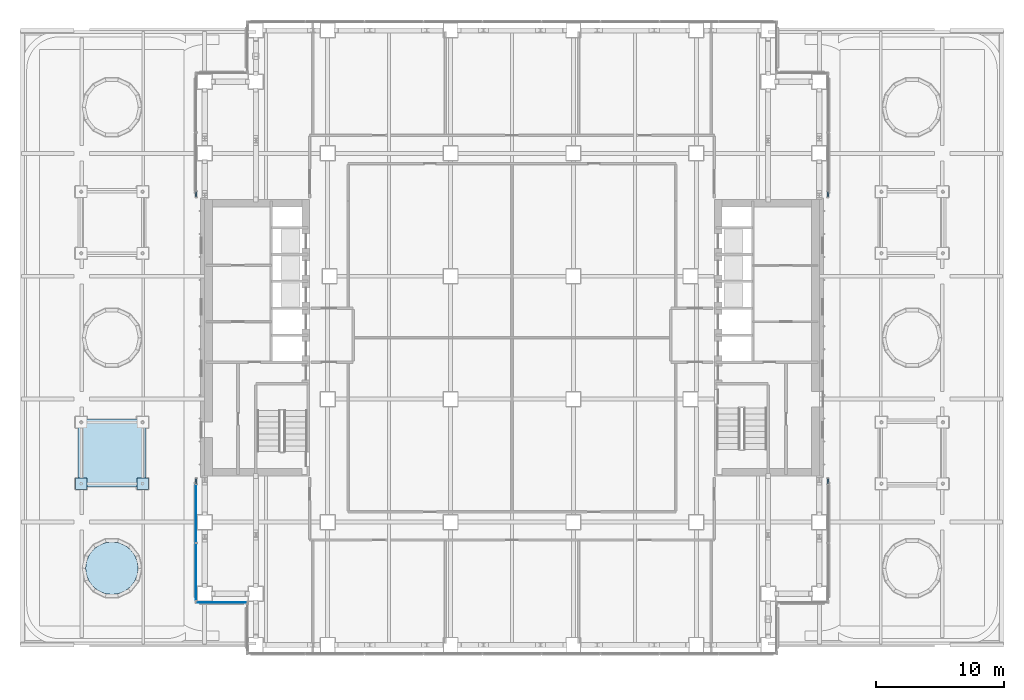
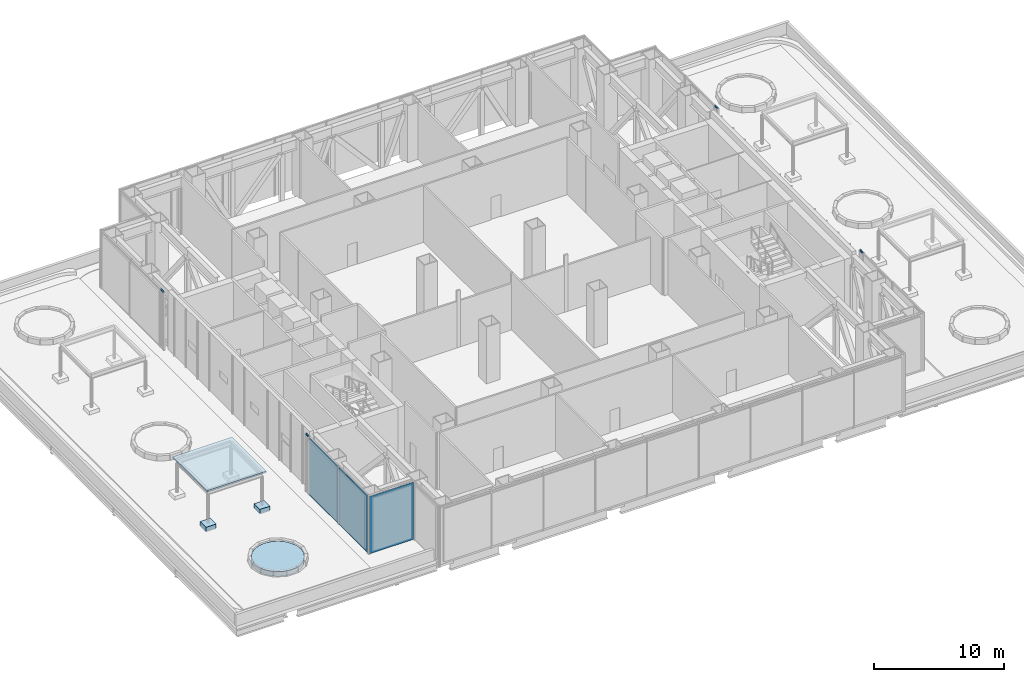
# One storey, part 16 of 39: 4 members, 4 slabs, 3 plates, 5 elements without a shape of their own.
"""IFC4 building model written with IfcOpenShell, lengths in metres."""

from ifc_helpers import new_model, si_unit, direction, frame, origin, origin_2d, place, context, subcontext, project, spatial, polyline, rectangle, outline, extrude, material, layer, layer_set, material_profile, profile_set, type_object, element, aggregate, save


model = new_model("IFC4")

# Units and contexts
model_context = context("Model", 3, precision=1e-05, world=origin(), true_north=direction((0.0, 1.0)))
body_context = subcontext(model_context, "Body", "Model", "MODEL_VIEW")
ifc_project = project(units=[si_unit("LENGTHUNIT", "METRE"), si_unit("AREAUNIT", "SQUARE_METRE"), si_unit("VOLUMEUNIT", "CUBIC_METRE"), si_unit("PLANEANGLEUNIT", "RADIAN"), si_unit("MASSUNIT", "GRAM", prefix="KILO")], contexts=[model_context])

# Site, building, storey
site_placement = place(None, origin())
site = spatial("IfcSite", under=ifc_project, at=site_placement, CompositionType="ELEMENT")
building_placement = place(site_placement, origin())
building = spatial("IfcBuilding", under=site, at=building_placement, Name="Cobrizo Arcos Hotel Tower", CompositionType="ELEMENT")
storey_placement = place(building_placement, frame((0.0, 0.0, 33.5)))
storey = spatial("IfcBuildingStorey", under=building, at=storey_placement, Name="L06", CompositionType="ELEMENT", Elevation=33.5)

# Curtain wall, member
ifc_material_1 = material(Name="Aluminium 6063-T6 anodised bronze", Category="aluminium")
curtain_wall_type = type_object("IfcCurtainWallType", Name="CW-D plant louvre wall", PredefinedType="NOTDEFINED", material=ifc_material_1)
curtain_wall_1_placement = place(storey_placement, origin())
curtain_wall_1 = element("IfcCurtainWall", 1, at=curtain_wall_1_placement, inside=storey, type_object=curtain_wall_type, Name="CW-D L06 E face", PredefinedType="NOTDEFINED")
ifc_material_profile = material_profile(ifc_material_1, rectangle(XDim=0.10009765625, YDim=0.10009765625, at=origin_2d()), Name="CW-D transom 100x100")
ifc_profile_set = profile_set([ifc_material_profile], Name="Aluminium 6063-T6 anodised bronze")
member_type = type_object("IfcMemberType", Name="CW-D transom 100x100", PredefinedType="USERDEFINED", material=ifc_profile_set)
member_1_placement = place(storey_placement, frame((24.675048828125, -11.39453125, 5.449951171875), z_axis=(0.0, 1.0, 0.0), x_axis=(-1.0, 0.0, 0.0)))
member_1 = element("IfcMember", 2, at=member_1_placement, type_object=member_type, Name="CW-D transom 336", ObjectType="TRANSOM", PredefinedType="USERDEFINED", context=body_context, shape_type="SweptSolid", body=[
    extrude(rectangle(XDim=0.10009765625, YDim=0.10009765625, at=origin_2d()), origin(), (0.0, 0.0, 1.0), 0.3701171875),
])
aggregate(curtain_wall_1, [member_1])

curtain_wall_2_placement = place(storey_placement, origin())
curtain_wall_2 = element("IfcCurtainWall", 3, at=curtain_wall_2_placement, inside=storey, type_object=curtain_wall_type, Name="CW-D L06 E face", PredefinedType="NOTDEFINED")
member_2_placement = place(storey_placement, frame((24.675048828125, 11.0244140625, 5.449951171875), z_axis=(0.0, 1.0, 0.0), x_axis=(-1.0, 0.0, 0.0)))
member_2 = element("IfcMember", 4, at=member_2_placement, type_object=member_type, Name="CW-D transom 337", ObjectType="TRANSOM", PredefinedType="USERDEFINED", context=body_context, shape_type="SweptSolid", body=[
    extrude(rectangle(XDim=0.10009765625, YDim=0.10009765625, at=origin_2d()), origin(), (0.0, 0.0, 1.0), 0.3701171875),
])
aggregate(curtain_wall_2, [member_2])

curtain_wall_3_placement = place(storey_placement, origin())
curtain_wall_3 = element("IfcCurtainWall", 5, at=curtain_wall_3_placement, inside=storey, type_object=curtain_wall_type, Name="CW-D L06 W face", PredefinedType="NOTDEFINED")
member_3_placement = place(storey_placement, frame((-24.675048828125, 11.39453125, 5.449951171875), z_axis=(0.0, -1.0, 0.0), x_axis=(1.0, 0.0, 0.0)))
member_3 = element("IfcMember", 6, at=member_3_placement, type_object=member_type, Name="CW-D transom 355", ObjectType="TRANSOM", PredefinedType="USERDEFINED", context=body_context, shape_type="SweptSolid", body=[
    extrude(rectangle(XDim=0.10009765625, YDim=0.10009765625, at=origin_2d()), origin(), (0.0, 0.0, 1.0), 0.3701171875),
])
aggregate(curtain_wall_3, [member_3])

# Curtain wall, member, plates
curtain_wall_4_placement = place(storey_placement, origin())
curtain_wall_4 = element("IfcCurtainWall", 7, at=curtain_wall_4_placement, inside=storey, type_object=curtain_wall_type, Name="CW-D L06 W face", PredefinedType="NOTDEFINED")
member_4_placement = place(storey_placement, frame((-24.675048828125, -11.0244140625, 5.449951171875), z_axis=(0.0, -1.0, 0.0), x_axis=(1.0, 0.0, 0.0)))
member_4 = element("IfcMember", 8, at=member_4_placement, type_object=member_type, Name="CW-D transom 356", ObjectType="TRANSOM", PredefinedType="USERDEFINED", context=body_context, shape_type="SweptSolid", body=[
    extrude(rectangle(XDim=0.10009765625, YDim=0.10009765625, at=origin_2d()), origin(), (0.0, 0.0, 1.0), 0.3701171875),
])
ifc_material_2 = material(Name="Aluminium composite panel pale metal", Category="aluminium")
ifc_layer_1 = layer(ifc_material_2, 0.06005859375)
ifc_layer_set_1 = layer_set([ifc_layer_1], Name="CW-D spandrel panel")
plate_type = type_object("IfcPlateType", Name="CW-D spandrel panel", PredefinedType="CURTAIN_PANEL", material=ifc_layer_set_1)
plate_1_placement = place(storey_placement, frame((-24.675048828125, -13.7333984375, 0.0), z_axis=(0.0, 0.0, 1.0), x_axis=(0.0, -1.0, 0.0)))
plate_1 = element("IfcPlate", 9, at=plate_1_placement, type_object=plate_type, Name="CW-D insulated panel 357", PredefinedType="CURTAIN_PANEL", context=body_context, shape_type="SweptSolid", body=[
    extrude(rectangle(XDim=4.477783203125, YDim=0.0400390625, at=origin_2d()), origin(), (0.0, 0.0, 1.0), 5.39990234375),
])
plate_2_placement = place(storey_placement, frame((-24.675048828125, -18.2861328125, 0.0), z_axis=(0.0, 0.0, 1.0), x_axis=(0.0, -1.0, 0.0)))
plate_2 = element("IfcPlate", 10, at=plate_2_placement, type_object=plate_type, Name="CW-D insulated panel 358", PredefinedType="CURTAIN_PANEL", context=body_context, shape_type="SweptSolid", body=[
    extrude(rectangle(XDim=4.427734375, YDim=0.0400390625, at=origin_2d()), origin(), (0.0, 0.0, 1.0), 5.39990234375),
])
aggregate(curtain_wall_4, [member_4, plate_1, plate_2])

# Curtain wall, plate
curtain_wall_5_placement = place(storey_placement, origin())
curtain_wall_5 = element("IfcCurtainWall", 11, at=curtain_wall_5_placement, inside=storey, type_object=curtain_wall_type, Name="CW-D L06 S face", PredefinedType="NOTDEFINED")
plate_3_placement = place(storey_placement, frame((-22.675048828125, -20.675048828125, 0.0), z_axis=(0.0, 0.0, 1.0), x_axis=(1.0, 0.0, 0.0)))
plate_3 = element("IfcPlate", 12, at=plate_3_placement, type_object=plate_type, Name="CW-D insulated panel 359", PredefinedType="CURTAIN_PANEL", context=body_context, shape_type="SweptSolid", body=[
    extrude(rectangle(XDim=3.949951171875, YDim=0.0400390625, at=origin_2d()), origin(), (0.0, 0.0, 1.0), 5.39990234375),
])
aggregate(curtain_wall_5, [plate_3])

# Slabs
ifc_material_3 = material(Name="Concrete f'c 35 MPa", Category="concrete")
ifc_layer_2 = layer(ifc_material_3, 0.449951171875)
ifc_layer_set_2 = layer_set([ifc_layer_2], Name="Pavilion column plinth 900 x 900 x 450")
slab_type_1 = type_object("IfcSlabType", Name="Pavilion column plinth 900 x 900 x 450", PredefinedType="BASESLAB", material=ifc_layer_set_2)
slab_1_placement = place(storey_placement, origin())
element("IfcSlab", 13, at=slab_1_placement, inside=storey, type_object=slab_type_1, Name="Pavilion 1 column plinth 1", PredefinedType="BASESLAB", context=body_context, shape_type="SweptSolid", body=[
    extrude(outline(polyline([(-33.199951171875, -11.85009765625), (-33.199951171875, -10.949951171875), (-34.10009765625, -10.949951171875), (-34.10009765625, -11.85009765625), (-33.199951171875, -11.85009765625)])), origin(), (0.0, 0.0, 1.0), 0.449951171875),
])
slab_2_placement = place(storey_placement, origin())
element("IfcSlab", 14, at=slab_2_placement, inside=storey, type_object=slab_type_1, Name="Pavilion 1 column plinth 2", PredefinedType="BASESLAB", context=body_context, shape_type="SweptSolid", body=[
    extrude(outline(polyline([(-28.39990234375, -11.85009765625), (-28.39990234375, -10.949951171875), (-29.300048828125, -10.949951171875), (-29.300048828125, -11.85009765625), (-28.39990234375, -11.85009765625)])), origin(), (0.0, 0.0, 1.0), 0.449951171875),
])
ifc_material_4 = material(Name="Reinforced concrete C40/50", Category="concrete")
ifc_layer_3 = layer(ifc_material_4, 0.14990234375)
ifc_layer_set_3 = layer_set([ifc_layer_3], Name="Pavilion roof slab 150")
slab_type_2 = type_object("IfcSlabType", Name="Pavilion roof slab 150", PredefinedType="ROOF", material=ifc_layer_set_3)
slab_3_placement = place(storey_placement, frame((0.0, 0.0, 3.556396484375)))
element("IfcSlab", 15, at=slab_3_placement, inside=storey, type_object=slab_type_2, Name="Pavilion 1 roof", PredefinedType="ROOF", context=body_context, shape_type="SweptSolid", body=[
    extrude(outline(polyline([(-33.89990234375, -11.64990234375), (-28.60009765625, -11.64990234375), (-28.60009765625, -6.35009765625), (-33.89990234375, -6.35009765625), (-33.89990234375, -11.64990234375)])), origin(), (0.0, 0.0, 1.0), 0.14990234375),
])
ifc_material_5 = material(Name="Planting soil")
ifc_layer_4 = layer(ifc_material_5, 0.449951171875)
ifc_layer_set_4 = layer_set([ifc_layer_4], Name="Planting bed 450")
slab_type_3 = type_object("IfcSlabType", Name="Planting bed 450", PredefinedType="USERDEFINED", material=ifc_layer_set_4)
slab_4_placement = place(storey_placement, origin())
element("IfcSlab", 16, at=slab_4_placement, inside=storey, type_object=slab_type_3, Name="Planter 1 planting bed", ObjectType="PLANTER", PredefinedType="USERDEFINED", context=body_context, shape_type="SweptSolid", body=[
    extrude(outline(polyline([(-29.195068359375, -18.0), (-29.264892578125, -17.468017578125), (-29.47021484375, -16.972412109375), (-29.796875, -16.546875), (-30.222412109375, -16.22021484375), (-30.718017578125, -16.014892578125), (-31.25, -15.945068359375), (-31.781982421875, -16.014892578125), (-32.277587890625, -16.22021484375), (-32.703125, -16.546875), (-33.02978515625, -16.972412109375), (-33.235107421875, -17.468017578125), (-33.304931640625, -18.0), (-33.235107421875, -18.531982421875), (-33.02978515625, -19.027587890625), (-32.703125, -19.453125), (-32.277587890625, -19.77978515625), (-31.781982421875, -19.985107421875), (-31.25, -20.054931640625), (-30.718017578125, -19.985107421875), (-30.222412109375, -19.77978515625), (-29.796875, -19.453125), (-29.47021484375, -19.027587890625), (-29.264892578125, -18.531982421875), (-29.195068359375, -18.0)])), origin(), (0.0, 0.0, 1.0), 0.449951171875),
])

save(model, "model.ifc")
